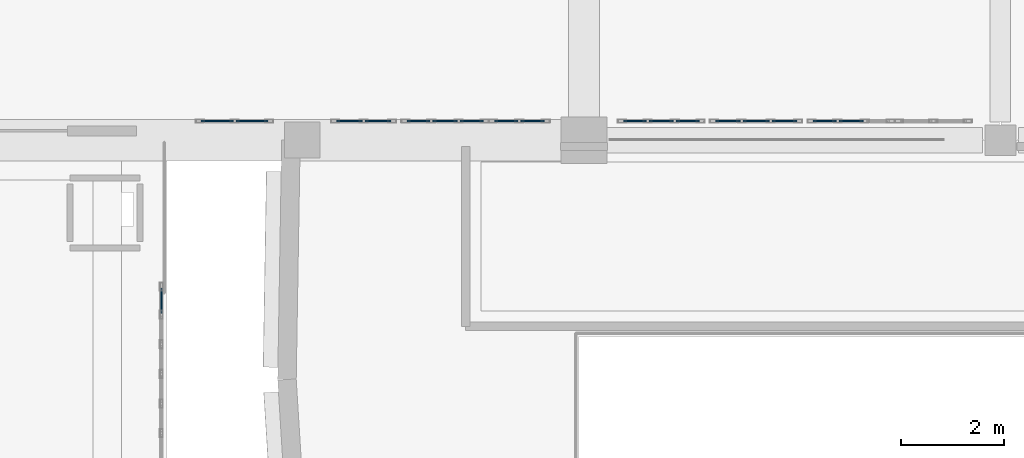
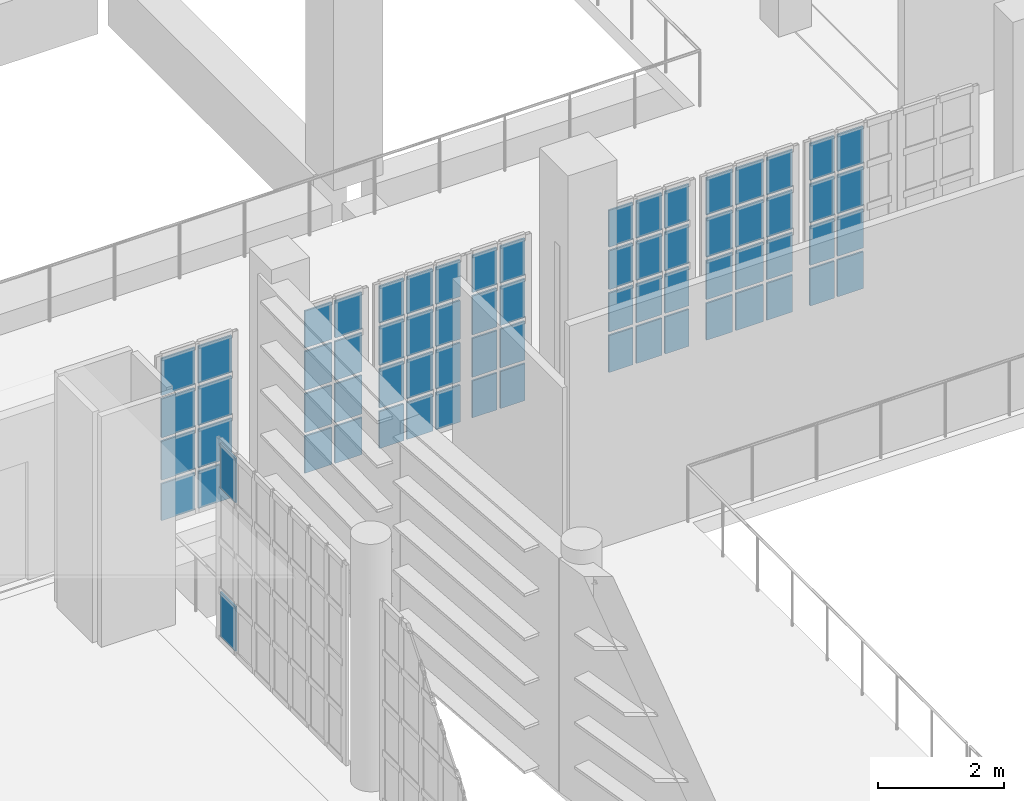
# One storey, part 85 of 104: 70 plates, 8 elements without a shape of their own.
"""IFC4 building model written with IfcOpenShell, lengths in metres."""

from ifc_helpers import new_model, si_unit, direction, frame, origin, origin_2d, place, context, subcontext, project, spatial, rectangle, extrude, material, layer, layer_set, type_object, element, aggregate, save


model = new_model("IFC4")

# Units and contexts
model_context = context("Model", 3, precision=1e-05, world=origin(), true_north=direction((0.0, 1.0)))
body_context = subcontext(model_context, "Body", "Model", "MODEL_VIEW")
ifc_project = project(units=[si_unit("LENGTHUNIT", "METRE"), si_unit("AREAUNIT", "SQUARE_METRE"), si_unit("VOLUMEUNIT", "CUBIC_METRE"), si_unit("PLANEANGLEUNIT", "RADIAN"), si_unit("MASSUNIT", "GRAM", prefix="KILO")], contexts=[model_context])

# Site, building, storey
site_placement = place(None, origin())
site = spatial("IfcSite", under=ifc_project, at=site_placement, CompositionType="ELEMENT")
building_placement = place(site_placement, origin())
building = spatial("IfcBuilding", under=site, at=building_placement, Name="Kaelora Sail Theatre", CompositionType="ELEMENT")
storey_placement = place(building_placement, frame((0.0, 0.0, 5.39990234375)))
storey = spatial("IfcBuildingStorey", under=building, at=storey_placement, Name="L01", CompositionType="ELEMENT", Elevation=5.39990234375)

# Curtain wall, plates
ifc_material_1 = material(Name="Anodised aluminium and solar-control low-E IGU", Category="aluminium")
curtain_wall_type = type_object("IfcCurtainWallType", Name="ARC-CW-CW-FOY2", PredefinedType="NOTDEFINED", material=ifc_material_1)
curtain_wall_1_placement = place(storey_placement, origin())
curtain_wall_1 = element("IfcCurtainWall", 1, at=curtain_wall_1_placement, inside=storey, type_object=curtain_wall_type, Name="West Interstitial Foyer East Glazed Return L01-03", PredefinedType="NOTDEFINED")
ifc_material_2 = material(Name="Solar-control laminated low-E glass", Category="glass")
ifc_layer = layer(ifc_material_2, 0.031982421875)
ifc_layer_set = layer_set([ifc_layer], Name="Solar-control laminated low-E glass")
plate_type = type_object("IfcPlateType", Name="ARC-CW-PNL", PredefinedType="CURTAIN_PANEL", material=ifc_layer_set)
plate_1_placement = place(storey_placement, frame((74.280029296875, 57.896728515625, 0.070068359375), z_axis=(0.0, 0.0, 1.0), x_axis=(0.0, 1.0, 0.0)))
plate_1 = element("IfcPlate", 2, at=plate_1_placement, type_object=plate_type, Name="CW-FOY2 panel 7.1", PredefinedType="CURTAIN_PANEL", context=body_context, shape_type="SweptSolid", body=[
    extrude(rectangle(XDim=0.486328125, YDim=0.031982421875, at=origin_2d()), origin(), (0.0, 0.0, 1.0), 0.86669921875),
])
plate_2_placement = place(storey_placement, frame((74.280029296875, 57.896728515625, 2.950439453125), z_axis=(0.0, 0.0, 1.0), x_axis=(0.0, 1.0, 0.0)))
plate_2 = element("IfcPlate", 3, at=plate_2_placement, type_object=plate_type, Name="CW-FOY2 panel 7.4", PredefinedType="CURTAIN_PANEL", context=body_context, shape_type="SweptSolid", body=[
    extrude(rectangle(XDim=0.486328125, YDim=0.031982421875, at=origin_2d()), origin(), (0.0, 0.0, 1.0), 0.86669921875),
])
aggregate(curtain_wall_1, [plate_1, plate_2])

curtain_wall_2_placement = place(storey_placement, origin())
curtain_wall_2 = element("IfcCurtainWall", 4, at=curtain_wall_2_placement, inside=storey, type_object=curtain_wall_type, Name="Glazed Foyer/Conservatory Curtain Wall FC1-S-L01-01", PredefinedType="NOTDEFINED")
plate_3_placement = place(storey_placement, frame((75.367431640625, 61.389892578125, 0.070068359375), z_axis=(0.0, 0.0, 1.0), x_axis=(1.0, 0.0, 0.0)))
plate_3 = element("IfcPlate", 5, at=plate_3_placement, type_object=plate_type, Name="CW-FOY2 panel 1.1", PredefinedType="CURTAIN_PANEL", context=body_context, shape_type="SweptSolid", body=[
    extrude(rectangle(XDim=0.614990234375, YDim=0.031982421875, at=origin_2d()), origin(), (0.0, 0.0, 1.0), 0.716796875),
])
plate_4_placement = place(storey_placement, frame((75.367431640625, 61.389892578125, 0.85693359375), z_axis=(0.0, 0.0, 1.0), x_axis=(1.0, 0.0, 0.0)))
plate_4 = element("IfcPlate", 6, at=plate_4_placement, type_object=plate_type, Name="CW-FOY2 panel 1.2", PredefinedType="CURTAIN_PANEL", context=body_context, shape_type="SweptSolid", body=[
    extrude(rectangle(XDim=0.614990234375, YDim=0.031982421875, at=origin_2d()), origin(), (0.0, 0.0, 1.0), 0.751708984375),
])
plate_5_placement = place(storey_placement, frame((75.367431640625, 61.389892578125, 1.6787109375), z_axis=(0.0, 0.0, 1.0), x_axis=(1.0, 0.0, 0.0)))
plate_5 = element("IfcPlate", 7, at=plate_5_placement, type_object=plate_type, Name="CW-FOY2 panel 1.3", PredefinedType="CURTAIN_PANEL", context=body_context, shape_type="SweptSolid", body=[
    extrude(rectangle(XDim=0.614990234375, YDim=0.031982421875, at=origin_2d()), origin(), (0.0, 0.0, 1.0), 0.751708984375),
])
plate_6_placement = place(storey_placement, frame((75.367431640625, 61.389892578125, 2.500244140625), z_axis=(0.0, 0.0, 1.0), x_axis=(1.0, 0.0, 0.0)))
plate_6 = element("IfcPlate", 8, at=plate_6_placement, type_object=plate_type, Name="CW-FOY2 panel 1.4", PredefinedType="CURTAIN_PANEL", context=body_context, shape_type="SweptSolid", body=[
    extrude(rectangle(XDim=0.614990234375, YDim=0.031982421875, at=origin_2d()), origin(), (0.0, 0.0, 1.0), 0.716796875),
])
plate_7_placement = place(storey_placement, frame((76.04248046875, 61.389892578125, 0.070068359375), z_axis=(0.0, 0.0, 1.0), x_axis=(1.0, 0.0, 0.0)))
plate_7 = element("IfcPlate", 9, at=plate_7_placement, type_object=plate_type, Name="CW-FOY2 panel 2.1", PredefinedType="CURTAIN_PANEL", context=body_context, shape_type="SweptSolid", body=[
    extrude(rectangle(XDim=0.614990234375, YDim=0.031982421875, at=origin_2d()), origin(), (0.0, 0.0, 1.0), 0.716796875),
])
plate_8_placement = place(storey_placement, frame((76.04248046875, 61.389892578125, 0.85693359375), z_axis=(0.0, 0.0, 1.0), x_axis=(1.0, 0.0, 0.0)))
plate_8 = element("IfcPlate", 10, at=plate_8_placement, type_object=plate_type, Name="CW-FOY2 panel 2.2", PredefinedType="CURTAIN_PANEL", context=body_context, shape_type="SweptSolid", body=[
    extrude(rectangle(XDim=0.614990234375, YDim=0.031982421875, at=origin_2d()), origin(), (0.0, 0.0, 1.0), 0.751708984375),
])
plate_9_placement = place(storey_placement, frame((76.04248046875, 61.389892578125, 1.6787109375), z_axis=(0.0, 0.0, 1.0), x_axis=(1.0, 0.0, 0.0)))
plate_9 = element("IfcPlate", 11, at=plate_9_placement, type_object=plate_type, Name="CW-FOY2 panel 2.3", PredefinedType="CURTAIN_PANEL", context=body_context, shape_type="SweptSolid", body=[
    extrude(rectangle(XDim=0.614990234375, YDim=0.031982421875, at=origin_2d()), origin(), (0.0, 0.0, 1.0), 0.751708984375),
])
plate_10_placement = place(storey_placement, frame((76.04248046875, 61.389892578125, 2.500244140625), z_axis=(0.0, 0.0, 1.0), x_axis=(1.0, 0.0, 0.0)))
plate_10 = element("IfcPlate", 12, at=plate_10_placement, type_object=plate_type, Name="CW-FOY2 panel 2.4", PredefinedType="CURTAIN_PANEL", context=body_context, shape_type="SweptSolid", body=[
    extrude(rectangle(XDim=0.614990234375, YDim=0.031982421875, at=origin_2d()), origin(), (0.0, 0.0, 1.0), 0.716796875),
])
aggregate(curtain_wall_2, [plate_3, plate_4, plate_5, plate_6, plate_7, plate_8, plate_9, plate_10])

curtain_wall_3_placement = place(storey_placement, origin())
curtain_wall_3 = element("IfcCurtainWall", 13, at=curtain_wall_3_placement, inside=storey, type_object=curtain_wall_type, Name="Glazed Foyer/Conservatory Curtain Wall FC1-S-L01-02", PredefinedType="NOTDEFINED")
plate_11_placement = place(storey_placement, frame((77.9375, 61.389892578125, 0.070068359375), z_axis=(0.0, 0.0, 1.0), x_axis=(1.0, 0.0, 0.0)))
plate_11 = element("IfcPlate", 14, at=plate_11_placement, type_object=plate_type, Name="CW-FOY2 panel 1.1", PredefinedType="CURTAIN_PANEL", context=body_context, shape_type="SweptSolid", body=[
    extrude(rectangle(XDim=0.4951171875, YDim=0.031982421875, at=origin_2d()), origin(), (0.0, 0.0, 1.0), 0.716796875),
])
plate_12_placement = place(storey_placement, frame((77.9375, 61.389892578125, 0.85693359375), z_axis=(0.0, 0.0, 1.0), x_axis=(1.0, 0.0, 0.0)))
plate_12 = element("IfcPlate", 15, at=plate_12_placement, type_object=plate_type, Name="CW-FOY2 panel 1.2", PredefinedType="CURTAIN_PANEL", context=body_context, shape_type="SweptSolid", body=[
    extrude(rectangle(XDim=0.4951171875, YDim=0.031982421875, at=origin_2d()), origin(), (0.0, 0.0, 1.0), 0.751708984375),
])
plate_13_placement = place(storey_placement, frame((77.9375, 61.389892578125, 1.6787109375), z_axis=(0.0, 0.0, 1.0), x_axis=(1.0, 0.0, 0.0)))
plate_13 = element("IfcPlate", 16, at=plate_13_placement, type_object=plate_type, Name="CW-FOY2 panel 1.3", PredefinedType="CURTAIN_PANEL", context=body_context, shape_type="SweptSolid", body=[
    extrude(rectangle(XDim=0.4951171875, YDim=0.031982421875, at=origin_2d()), origin(), (0.0, 0.0, 1.0), 0.751708984375),
])
plate_14_placement = place(storey_placement, frame((77.9375, 61.389892578125, 2.500244140625), z_axis=(0.0, 0.0, 1.0), x_axis=(1.0, 0.0, 0.0)))
plate_14 = element("IfcPlate", 17, at=plate_14_placement, type_object=plate_type, Name="CW-FOY2 panel 1.4", PredefinedType="CURTAIN_PANEL", context=body_context, shape_type="SweptSolid", body=[
    extrude(rectangle(XDim=0.4951171875, YDim=0.031982421875, at=origin_2d()), origin(), (0.0, 0.0, 1.0), 0.716796875),
])
plate_15_placement = place(storey_placement, frame((78.492431640625, 61.389892578125, 0.070068359375), z_axis=(0.0, 0.0, 1.0), x_axis=(1.0, 0.0, 0.0)))
plate_15 = element("IfcPlate", 18, at=plate_15_placement, type_object=plate_type, Name="CW-FOY2 panel 2.1", PredefinedType="CURTAIN_PANEL", context=body_context, shape_type="SweptSolid", body=[
    extrude(rectangle(XDim=0.4951171875, YDim=0.031982421875, at=origin_2d()), origin(), (0.0, 0.0, 1.0), 0.716796875),
])
plate_16_placement = place(storey_placement, frame((78.492431640625, 61.389892578125, 0.85693359375), z_axis=(0.0, 0.0, 1.0), x_axis=(1.0, 0.0, 0.0)))
plate_16 = element("IfcPlate", 19, at=plate_16_placement, type_object=plate_type, Name="CW-FOY2 panel 2.2", PredefinedType="CURTAIN_PANEL", context=body_context, shape_type="SweptSolid", body=[
    extrude(rectangle(XDim=0.4951171875, YDim=0.031982421875, at=origin_2d()), origin(), (0.0, 0.0, 1.0), 0.751708984375),
])
plate_17_placement = place(storey_placement, frame((78.492431640625, 61.389892578125, 1.6787109375), z_axis=(0.0, 0.0, 1.0), x_axis=(1.0, 0.0, 0.0)))
plate_17 = element("IfcPlate", 20, at=plate_17_placement, type_object=plate_type, Name="CW-FOY2 panel 2.3", PredefinedType="CURTAIN_PANEL", context=body_context, shape_type="SweptSolid", body=[
    extrude(rectangle(XDim=0.4951171875, YDim=0.031982421875, at=origin_2d()), origin(), (0.0, 0.0, 1.0), 0.751708984375),
])
plate_18_placement = place(storey_placement, frame((78.492431640625, 61.389892578125, 2.500244140625), z_axis=(0.0, 0.0, 1.0), x_axis=(1.0, 0.0, 0.0)))
plate_18 = element("IfcPlate", 21, at=plate_18_placement, type_object=plate_type, Name="CW-FOY2 panel 2.4", PredefinedType="CURTAIN_PANEL", context=body_context, shape_type="SweptSolid", body=[
    extrude(rectangle(XDim=0.4951171875, YDim=0.031982421875, at=origin_2d()), origin(), (0.0, 0.0, 1.0), 0.716796875),
])
aggregate(curtain_wall_3, [plate_11, plate_12, plate_13, plate_14, plate_15, plate_16, plate_17, plate_18])

curtain_wall_4_placement = place(storey_placement, origin())
curtain_wall_4 = element("IfcCurtainWall", 22, at=curtain_wall_4_placement, inside=storey, type_object=curtain_wall_type, Name="Glazed Foyer/Conservatory Curtain Wall FC1-S-L01-03", PredefinedType="NOTDEFINED")
plate_19_placement = place(storey_placement, frame((79.28173828125, 61.389892578125, 0.070068359375), z_axis=(0.0, 0.0, 1.0), x_axis=(1.0, 0.0, 0.0)))
plate_19 = element("IfcPlate", 23, at=plate_19_placement, type_object=plate_type, Name="CW-FOY2 panel 1.1", PredefinedType="CURTAIN_PANEL", context=body_context, shape_type="SweptSolid", body=[
    extrude(rectangle(XDim=0.443359375, YDim=0.031982421875, at=origin_2d()), origin(), (0.0, 0.0, 1.0), 0.716796875),
])
plate_20_placement = place(storey_placement, frame((79.28173828125, 61.389892578125, 0.85693359375), z_axis=(0.0, 0.0, 1.0), x_axis=(1.0, 0.0, 0.0)))
plate_20 = element("IfcPlate", 24, at=plate_20_placement, type_object=plate_type, Name="CW-FOY2 panel 1.2", PredefinedType="CURTAIN_PANEL", context=body_context, shape_type="SweptSolid", body=[
    extrude(rectangle(XDim=0.443359375, YDim=0.031982421875, at=origin_2d()), origin(), (0.0, 0.0, 1.0), 0.751708984375),
])
plate_21_placement = place(storey_placement, frame((79.28173828125, 61.389892578125, 1.6787109375), z_axis=(0.0, 0.0, 1.0), x_axis=(1.0, 0.0, 0.0)))
plate_21 = element("IfcPlate", 25, at=plate_21_placement, type_object=plate_type, Name="CW-FOY2 panel 1.3", PredefinedType="CURTAIN_PANEL", context=body_context, shape_type="SweptSolid", body=[
    extrude(rectangle(XDim=0.443359375, YDim=0.031982421875, at=origin_2d()), origin(), (0.0, 0.0, 1.0), 0.751708984375),
])
plate_22_placement = place(storey_placement, frame((79.28173828125, 61.389892578125, 2.500244140625), z_axis=(0.0, 0.0, 1.0), x_axis=(1.0, 0.0, 0.0)))
plate_22 = element("IfcPlate", 26, at=plate_22_placement, type_object=plate_type, Name="CW-FOY2 panel 1.4", PredefinedType="CURTAIN_PANEL", context=body_context, shape_type="SweptSolid", body=[
    extrude(rectangle(XDim=0.443359375, YDim=0.031982421875, at=origin_2d()), origin(), (0.0, 0.0, 1.0), 0.716796875),
])
plate_23_placement = place(storey_placement, frame((79.800048828125, 61.389892578125, 0.070068359375), z_axis=(0.0, 0.0, 1.0), x_axis=(1.0, 0.0, 0.0)))
plate_23 = element("IfcPlate", 27, at=plate_23_placement, type_object=plate_type, Name="CW-FOY2 panel 2.1", PredefinedType="CURTAIN_PANEL", context=body_context, shape_type="SweptSolid", body=[
    extrude(rectangle(XDim=0.473388671875, YDim=0.031982421875, at=origin_2d()), origin(), (0.0, 0.0, 1.0), 0.716796875),
])
plate_24_placement = place(storey_placement, frame((79.800048828125, 61.389892578125, 0.85693359375), z_axis=(0.0, 0.0, 1.0), x_axis=(1.0, 0.0, 0.0)))
plate_24 = element("IfcPlate", 28, at=plate_24_placement, type_object=plate_type, Name="CW-FOY2 panel 2.2", PredefinedType="CURTAIN_PANEL", context=body_context, shape_type="SweptSolid", body=[
    extrude(rectangle(XDim=0.473388671875, YDim=0.031982421875, at=origin_2d()), origin(), (0.0, 0.0, 1.0), 0.751708984375),
])
plate_25_placement = place(storey_placement, frame((79.800048828125, 61.389892578125, 1.6787109375), z_axis=(0.0, 0.0, 1.0), x_axis=(1.0, 0.0, 0.0)))
plate_25 = element("IfcPlate", 29, at=plate_25_placement, type_object=plate_type, Name="CW-FOY2 panel 2.3", PredefinedType="CURTAIN_PANEL", context=body_context, shape_type="SweptSolid", body=[
    extrude(rectangle(XDim=0.473388671875, YDim=0.031982421875, at=origin_2d()), origin(), (0.0, 0.0, 1.0), 0.751708984375),
])
plate_26_placement = place(storey_placement, frame((79.800048828125, 61.389892578125, 2.500244140625), z_axis=(0.0, 0.0, 1.0), x_axis=(1.0, 0.0, 0.0)))
plate_26 = element("IfcPlate", 30, at=plate_26_placement, type_object=plate_type, Name="CW-FOY2 panel 2.4", PredefinedType="CURTAIN_PANEL", context=body_context, shape_type="SweptSolid", body=[
    extrude(rectangle(XDim=0.473388671875, YDim=0.031982421875, at=origin_2d()), origin(), (0.0, 0.0, 1.0), 0.716796875),
])
plate_27_placement = place(storey_placement, frame((80.318359375, 61.389892578125, 0.070068359375), z_axis=(0.0, 0.0, 1.0), x_axis=(1.0, 0.0, 0.0)))
plate_27 = element("IfcPlate", 31, at=plate_27_placement, type_object=plate_type, Name="CW-FOY2 panel 3.1", PredefinedType="CURTAIN_PANEL", context=body_context, shape_type="SweptSolid", body=[
    extrude(rectangle(XDim=0.443359375, YDim=0.031982421875, at=origin_2d()), origin(), (0.0, 0.0, 1.0), 0.716796875),
])
plate_28_placement = place(storey_placement, frame((80.318359375, 61.389892578125, 0.85693359375), z_axis=(0.0, 0.0, 1.0), x_axis=(1.0, 0.0, 0.0)))
plate_28 = element("IfcPlate", 32, at=plate_28_placement, type_object=plate_type, Name="CW-FOY2 panel 3.2", PredefinedType="CURTAIN_PANEL", context=body_context, shape_type="SweptSolid", body=[
    extrude(rectangle(XDim=0.443359375, YDim=0.031982421875, at=origin_2d()), origin(), (0.0, 0.0, 1.0), 0.751708984375),
])
plate_29_placement = place(storey_placement, frame((80.318359375, 61.389892578125, 1.6787109375), z_axis=(0.0, 0.0, 1.0), x_axis=(1.0, 0.0, 0.0)))
plate_29 = element("IfcPlate", 33, at=plate_29_placement, type_object=plate_type, Name="CW-FOY2 panel 3.3", PredefinedType="CURTAIN_PANEL", context=body_context, shape_type="SweptSolid", body=[
    extrude(rectangle(XDim=0.443359375, YDim=0.031982421875, at=origin_2d()), origin(), (0.0, 0.0, 1.0), 0.751708984375),
])
plate_30_placement = place(storey_placement, frame((80.318359375, 61.389892578125, 2.500244140625), z_axis=(0.0, 0.0, 1.0), x_axis=(1.0, 0.0, 0.0)))
plate_30 = element("IfcPlate", 34, at=plate_30_placement, type_object=plate_type, Name="CW-FOY2 panel 3.4", PredefinedType="CURTAIN_PANEL", context=body_context, shape_type="SweptSolid", body=[
    extrude(rectangle(XDim=0.443359375, YDim=0.031982421875, at=origin_2d()), origin(), (0.0, 0.0, 1.0), 0.716796875),
])
aggregate(curtain_wall_4, [plate_19, plate_20, plate_21, plate_22, plate_23, plate_24, plate_25, plate_26, plate_27, plate_28, plate_29, plate_30])

curtain_wall_5_placement = place(storey_placement, origin())
curtain_wall_5 = element("IfcCurtainWall", 35, at=curtain_wall_5_placement, inside=storey, type_object=curtain_wall_type, Name="Glazed Foyer/Conservatory Curtain Wall FC1-S-L01-04", PredefinedType="NOTDEFINED")
plate_31_placement = place(storey_placement, frame((80.987548828125, 61.389892578125, 0.070068359375), z_axis=(0.0, 0.0, 1.0), x_axis=(1.0, 0.0, 0.0)))
plate_31 = element("IfcPlate", 36, at=plate_31_placement, type_object=plate_type, Name="CW-FOY2 panel 1.1", PredefinedType="CURTAIN_PANEL", context=body_context, shape_type="SweptSolid", body=[
    extrude(rectangle(XDim=0.455078125, YDim=0.031982421875, at=origin_2d()), origin(), (0.0, 0.0, 1.0), 0.716796875),
])
plate_32_placement = place(storey_placement, frame((80.987548828125, 61.389892578125, 0.85693359375), z_axis=(0.0, 0.0, 1.0), x_axis=(1.0, 0.0, 0.0)))
plate_32 = element("IfcPlate", 37, at=plate_32_placement, type_object=plate_type, Name="CW-FOY2 panel 1.2", PredefinedType="CURTAIN_PANEL", context=body_context, shape_type="SweptSolid", body=[
    extrude(rectangle(XDim=0.455078125, YDim=0.031982421875, at=origin_2d()), origin(), (0.0, 0.0, 1.0), 0.751708984375),
])
plate_33_placement = place(storey_placement, frame((80.987548828125, 61.389892578125, 1.6787109375), z_axis=(0.0, 0.0, 1.0), x_axis=(1.0, 0.0, 0.0)))
plate_33 = element("IfcPlate", 38, at=plate_33_placement, type_object=plate_type, Name="CW-FOY2 panel 1.3", PredefinedType="CURTAIN_PANEL", context=body_context, shape_type="SweptSolid", body=[
    extrude(rectangle(XDim=0.455078125, YDim=0.031982421875, at=origin_2d()), origin(), (0.0, 0.0, 1.0), 0.751708984375),
])
plate_34_placement = place(storey_placement, frame((80.987548828125, 61.389892578125, 2.500244140625), z_axis=(0.0, 0.0, 1.0), x_axis=(1.0, 0.0, 0.0)))
plate_34 = element("IfcPlate", 39, at=plate_34_placement, type_object=plate_type, Name="CW-FOY2 panel 1.4", PredefinedType="CURTAIN_PANEL", context=body_context, shape_type="SweptSolid", body=[
    extrude(rectangle(XDim=0.455078125, YDim=0.031982421875, at=origin_2d()), origin(), (0.0, 0.0, 1.0), 0.716796875),
])
plate_35_placement = place(storey_placement, frame((81.50244140625, 61.389892578125, 0.070068359375), z_axis=(0.0, 0.0, 1.0), x_axis=(1.0, 0.0, 0.0)))
plate_35 = element("IfcPlate", 40, at=plate_35_placement, type_object=plate_type, Name="CW-FOY2 panel 2.1", PredefinedType="CURTAIN_PANEL", context=body_context, shape_type="SweptSolid", body=[
    extrude(rectangle(XDim=0.455078125, YDim=0.031982421875, at=origin_2d()), origin(), (0.0, 0.0, 1.0), 0.716796875),
])
plate_36_placement = place(storey_placement, frame((81.50244140625, 61.389892578125, 0.85693359375), z_axis=(0.0, 0.0, 1.0), x_axis=(1.0, 0.0, 0.0)))
plate_36 = element("IfcPlate", 41, at=plate_36_placement, type_object=plate_type, Name="CW-FOY2 panel 2.2", PredefinedType="CURTAIN_PANEL", context=body_context, shape_type="SweptSolid", body=[
    extrude(rectangle(XDim=0.455078125, YDim=0.031982421875, at=origin_2d()), origin(), (0.0, 0.0, 1.0), 0.751708984375),
])
plate_37_placement = place(storey_placement, frame((81.50244140625, 61.389892578125, 1.6787109375), z_axis=(0.0, 0.0, 1.0), x_axis=(1.0, 0.0, 0.0)))
plate_37 = element("IfcPlate", 42, at=plate_37_placement, type_object=plate_type, Name="CW-FOY2 panel 2.3", PredefinedType="CURTAIN_PANEL", context=body_context, shape_type="SweptSolid", body=[
    extrude(rectangle(XDim=0.455078125, YDim=0.031982421875, at=origin_2d()), origin(), (0.0, 0.0, 1.0), 0.751708984375),
])
plate_38_placement = place(storey_placement, frame((81.50244140625, 61.389892578125, 2.500244140625), z_axis=(0.0, 0.0, 1.0), x_axis=(1.0, 0.0, 0.0)))
plate_38 = element("IfcPlate", 43, at=plate_38_placement, type_object=plate_type, Name="CW-FOY2 panel 2.4", PredefinedType="CURTAIN_PANEL", context=body_context, shape_type="SweptSolid", body=[
    extrude(rectangle(XDim=0.455078125, YDim=0.031982421875, at=origin_2d()), origin(), (0.0, 0.0, 1.0), 0.716796875),
])
aggregate(curtain_wall_5, [plate_31, plate_32, plate_33, plate_34, plate_35, plate_36, plate_37, plate_38])

curtain_wall_6_placement = place(storey_placement, origin())
curtain_wall_6 = element("IfcCurtainWall", 44, at=curtain_wall_6_placement, inside=storey, type_object=curtain_wall_type, Name="Glazed Foyer/Conservatory Curtain Wall FC1-S-L01-05", PredefinedType="NOTDEFINED")
plate_39_placement = place(storey_placement, frame((83.489990234375, 61.389892578125, 0.070068359375), z_axis=(0.0, 0.0, 1.0), x_axis=(1.0, 0.0, 0.0)))
plate_39 = element("IfcPlate", 45, at=plate_39_placement, type_object=plate_type, Name="CW-FOY2 panel 1.1", PredefinedType="CURTAIN_PANEL", context=body_context, shape_type="SweptSolid", body=[
    extrude(rectangle(XDim=0.43994140625, YDim=0.031982421875, at=origin_2d()), origin(), (0.0, 0.0, 1.0), 0.716796875),
])
plate_40_placement = place(storey_placement, frame((83.489990234375, 61.389892578125, 0.85693359375), z_axis=(0.0, 0.0, 1.0), x_axis=(1.0, 0.0, 0.0)))
plate_40 = element("IfcPlate", 46, at=plate_40_placement, type_object=plate_type, Name="CW-FOY2 panel 1.2", PredefinedType="CURTAIN_PANEL", context=body_context, shape_type="SweptSolid", body=[
    extrude(rectangle(XDim=0.43994140625, YDim=0.031982421875, at=origin_2d()), origin(), (0.0, 0.0, 1.0), 0.751708984375),
])
plate_41_placement = place(storey_placement, frame((83.489990234375, 61.389892578125, 1.6787109375), z_axis=(0.0, 0.0, 1.0), x_axis=(1.0, 0.0, 0.0)))
plate_41 = element("IfcPlate", 47, at=plate_41_placement, type_object=plate_type, Name="CW-FOY2 panel 1.3", PredefinedType="CURTAIN_PANEL", context=body_context, shape_type="SweptSolid", body=[
    extrude(rectangle(XDim=0.43994140625, YDim=0.031982421875, at=origin_2d()), origin(), (0.0, 0.0, 1.0), 0.751708984375),
])
plate_42_placement = place(storey_placement, frame((83.489990234375, 61.389892578125, 2.500244140625), z_axis=(0.0, 0.0, 1.0), x_axis=(1.0, 0.0, 0.0)))
plate_42 = element("IfcPlate", 48, at=plate_42_placement, type_object=plate_type, Name="CW-FOY2 panel 1.4", PredefinedType="CURTAIN_PANEL", context=body_context, shape_type="SweptSolid", body=[
    extrude(rectangle(XDim=0.43994140625, YDim=0.031982421875, at=origin_2d()), origin(), (0.0, 0.0, 1.0), 0.716796875),
])
plate_43_placement = place(storey_placement, frame((84.0048828125, 61.389892578125, 0.070068359375), z_axis=(0.0, 0.0, 1.0), x_axis=(1.0, 0.0, 0.0)))
plate_43 = element("IfcPlate", 49, at=plate_43_placement, type_object=plate_type, Name="CW-FOY2 panel 2.1", PredefinedType="CURTAIN_PANEL", context=body_context, shape_type="SweptSolid", body=[
    extrude(rectangle(XDim=0.469970703125, YDim=0.031982421875, at=origin_2d()), origin(), (0.0, 0.0, 1.0), 0.716796875),
])
plate_44_placement = place(storey_placement, frame((84.0048828125, 61.389892578125, 0.85693359375), z_axis=(0.0, 0.0, 1.0), x_axis=(1.0, 0.0, 0.0)))
plate_44 = element("IfcPlate", 50, at=plate_44_placement, type_object=plate_type, Name="CW-FOY2 panel 2.2", PredefinedType="CURTAIN_PANEL", context=body_context, shape_type="SweptSolid", body=[
    extrude(rectangle(XDim=0.469970703125, YDim=0.031982421875, at=origin_2d()), origin(), (0.0, 0.0, 1.0), 0.751708984375),
])
plate_45_placement = place(storey_placement, frame((84.0048828125, 61.389892578125, 1.6787109375), z_axis=(0.0, 0.0, 1.0), x_axis=(1.0, 0.0, 0.0)))
plate_45 = element("IfcPlate", 51, at=plate_45_placement, type_object=plate_type, Name="CW-FOY2 panel 2.3", PredefinedType="CURTAIN_PANEL", context=body_context, shape_type="SweptSolid", body=[
    extrude(rectangle(XDim=0.469970703125, YDim=0.031982421875, at=origin_2d()), origin(), (0.0, 0.0, 1.0), 0.751708984375),
])
plate_46_placement = place(storey_placement, frame((84.0048828125, 61.389892578125, 2.500244140625), z_axis=(0.0, 0.0, 1.0), x_axis=(1.0, 0.0, 0.0)))
plate_46 = element("IfcPlate", 52, at=plate_46_placement, type_object=plate_type, Name="CW-FOY2 panel 2.4", PredefinedType="CURTAIN_PANEL", context=body_context, shape_type="SweptSolid", body=[
    extrude(rectangle(XDim=0.469970703125, YDim=0.031982421875, at=origin_2d()), origin(), (0.0, 0.0, 1.0), 0.716796875),
])
plate_47_placement = place(storey_placement, frame((84.52001953125, 61.389892578125, 0.070068359375), z_axis=(0.0, 0.0, 1.0), x_axis=(1.0, 0.0, 0.0)))
plate_47 = element("IfcPlate", 53, at=plate_47_placement, type_object=plate_type, Name="CW-FOY2 panel 3.1", PredefinedType="CURTAIN_PANEL", context=body_context, shape_type="SweptSolid", body=[
    extrude(rectangle(XDim=0.43994140625, YDim=0.031982421875, at=origin_2d()), origin(), (0.0, 0.0, 1.0), 0.716796875),
])
plate_48_placement = place(storey_placement, frame((84.52001953125, 61.389892578125, 0.85693359375), z_axis=(0.0, 0.0, 1.0), x_axis=(1.0, 0.0, 0.0)))
plate_48 = element("IfcPlate", 54, at=plate_48_placement, type_object=plate_type, Name="CW-FOY2 panel 3.2", PredefinedType="CURTAIN_PANEL", context=body_context, shape_type="SweptSolid", body=[
    extrude(rectangle(XDim=0.43994140625, YDim=0.031982421875, at=origin_2d()), origin(), (0.0, 0.0, 1.0), 0.751708984375),
])
plate_49_placement = place(storey_placement, frame((84.52001953125, 61.389892578125, 1.6787109375), z_axis=(0.0, 0.0, 1.0), x_axis=(1.0, 0.0, 0.0)))
plate_49 = element("IfcPlate", 55, at=plate_49_placement, type_object=plate_type, Name="CW-FOY2 panel 3.3", PredefinedType="CURTAIN_PANEL", context=body_context, shape_type="SweptSolid", body=[
    extrude(rectangle(XDim=0.43994140625, YDim=0.031982421875, at=origin_2d()), origin(), (0.0, 0.0, 1.0), 0.751708984375),
])
plate_50_placement = place(storey_placement, frame((84.52001953125, 61.389892578125, 2.500244140625), z_axis=(0.0, 0.0, 1.0), x_axis=(1.0, 0.0, 0.0)))
plate_50 = element("IfcPlate", 56, at=plate_50_placement, type_object=plate_type, Name="CW-FOY2 panel 3.4", PredefinedType="CURTAIN_PANEL", context=body_context, shape_type="SweptSolid", body=[
    extrude(rectangle(XDim=0.43994140625, YDim=0.031982421875, at=origin_2d()), origin(), (0.0, 0.0, 1.0), 0.716796875),
])
aggregate(curtain_wall_6, [plate_39, plate_40, plate_41, plate_42, plate_43, plate_44, plate_45, plate_46, plate_47, plate_48, plate_49, plate_50])

curtain_wall_7_placement = place(storey_placement, origin())
curtain_wall_7 = element("IfcCurtainWall", 57, at=curtain_wall_7_placement, inside=storey, type_object=curtain_wall_type, Name="Glazed Foyer/Conservatory Curtain Wall FC1-S-L01-06", PredefinedType="NOTDEFINED")
plate_51_placement = place(storey_placement, frame((85.29833984375, 61.389892578125, 0.070068359375), z_axis=(0.0, 0.0, 1.0), x_axis=(1.0, 0.0, 0.0)))
plate_51 = element("IfcPlate", 58, at=plate_51_placement, type_object=plate_type, Name="CW-FOY2 panel 1.1", PredefinedType="CURTAIN_PANEL", context=body_context, shape_type="SweptSolid", body=[
    extrude(rectangle(XDim=0.4765625, YDim=0.031982421875, at=origin_2d()), origin(), (0.0, 0.0, 1.0), 0.716796875),
])
plate_52_placement = place(storey_placement, frame((85.29833984375, 61.389892578125, 0.85693359375), z_axis=(0.0, 0.0, 1.0), x_axis=(1.0, 0.0, 0.0)))
plate_52 = element("IfcPlate", 59, at=plate_52_placement, type_object=plate_type, Name="CW-FOY2 panel 1.2", PredefinedType="CURTAIN_PANEL", context=body_context, shape_type="SweptSolid", body=[
    extrude(rectangle(XDim=0.4765625, YDim=0.031982421875, at=origin_2d()), origin(), (0.0, 0.0, 1.0), 0.751708984375),
])
plate_53_placement = place(storey_placement, frame((85.29833984375, 61.389892578125, 1.6787109375), z_axis=(0.0, 0.0, 1.0), x_axis=(1.0, 0.0, 0.0)))
plate_53 = element("IfcPlate", 60, at=plate_53_placement, type_object=plate_type, Name="CW-FOY2 panel 1.3", PredefinedType="CURTAIN_PANEL", context=body_context, shape_type="SweptSolid", body=[
    extrude(rectangle(XDim=0.4765625, YDim=0.031982421875, at=origin_2d()), origin(), (0.0, 0.0, 1.0), 0.751708984375),
])
plate_54_placement = place(storey_placement, frame((85.29833984375, 61.389892578125, 2.500244140625), z_axis=(0.0, 0.0, 1.0), x_axis=(1.0, 0.0, 0.0)))
plate_54 = element("IfcPlate", 61, at=plate_54_placement, type_object=plate_type, Name="CW-FOY2 panel 1.4", PredefinedType="CURTAIN_PANEL", context=body_context, shape_type="SweptSolid", body=[
    extrude(rectangle(XDim=0.4765625, YDim=0.031982421875, at=origin_2d()), origin(), (0.0, 0.0, 1.0), 0.716796875),
])
plate_55_placement = place(storey_placement, frame((85.85009765625, 61.389892578125, 0.070068359375), z_axis=(0.0, 0.0, 1.0), x_axis=(1.0, 0.0, 0.0)))
plate_55 = element("IfcPlate", 62, at=plate_55_placement, type_object=plate_type, Name="CW-FOY2 panel 2.1", PredefinedType="CURTAIN_PANEL", context=body_context, shape_type="SweptSolid", body=[
    extrude(rectangle(XDim=0.506591796875, YDim=0.031982421875, at=origin_2d()), origin(), (0.0, 0.0, 1.0), 0.716796875),
])
plate_56_placement = place(storey_placement, frame((85.85009765625, 61.389892578125, 0.85693359375), z_axis=(0.0, 0.0, 1.0), x_axis=(1.0, 0.0, 0.0)))
plate_56 = element("IfcPlate", 63, at=plate_56_placement, type_object=plate_type, Name="CW-FOY2 panel 2.2", PredefinedType="CURTAIN_PANEL", context=body_context, shape_type="SweptSolid", body=[
    extrude(rectangle(XDim=0.506591796875, YDim=0.031982421875, at=origin_2d()), origin(), (0.0, 0.0, 1.0), 0.751708984375),
])
plate_57_placement = place(storey_placement, frame((85.85009765625, 61.389892578125, 1.6787109375), z_axis=(0.0, 0.0, 1.0), x_axis=(1.0, 0.0, 0.0)))
plate_57 = element("IfcPlate", 64, at=plate_57_placement, type_object=plate_type, Name="CW-FOY2 panel 2.3", PredefinedType="CURTAIN_PANEL", context=body_context, shape_type="SweptSolid", body=[
    extrude(rectangle(XDim=0.506591796875, YDim=0.031982421875, at=origin_2d()), origin(), (0.0, 0.0, 1.0), 0.751708984375),
])
plate_58_placement = place(storey_placement, frame((85.85009765625, 61.389892578125, 2.500244140625), z_axis=(0.0, 0.0, 1.0), x_axis=(1.0, 0.0, 0.0)))
plate_58 = element("IfcPlate", 65, at=plate_58_placement, type_object=plate_type, Name="CW-FOY2 panel 2.4", PredefinedType="CURTAIN_PANEL", context=body_context, shape_type="SweptSolid", body=[
    extrude(rectangle(XDim=0.506591796875, YDim=0.031982421875, at=origin_2d()), origin(), (0.0, 0.0, 1.0), 0.716796875),
])
plate_59_placement = place(storey_placement, frame((86.401611328125, 61.389892578125, 0.070068359375), z_axis=(0.0, 0.0, 1.0), x_axis=(1.0, 0.0, 0.0)))
plate_59 = element("IfcPlate", 66, at=plate_59_placement, type_object=plate_type, Name="CW-FOY2 panel 3.1", PredefinedType="CURTAIN_PANEL", context=body_context, shape_type="SweptSolid", body=[
    extrude(rectangle(XDim=0.4765625, YDim=0.031982421875, at=origin_2d()), origin(), (0.0, 0.0, 1.0), 0.716796875),
])
plate_60_placement = place(storey_placement, frame((86.401611328125, 61.389892578125, 0.85693359375), z_axis=(0.0, 0.0, 1.0), x_axis=(1.0, 0.0, 0.0)))
plate_60 = element("IfcPlate", 67, at=plate_60_placement, type_object=plate_type, Name="CW-FOY2 panel 3.2", PredefinedType="CURTAIN_PANEL", context=body_context, shape_type="SweptSolid", body=[
    extrude(rectangle(XDim=0.4765625, YDim=0.031982421875, at=origin_2d()), origin(), (0.0, 0.0, 1.0), 0.751708984375),
])
plate_61_placement = place(storey_placement, frame((86.401611328125, 61.389892578125, 1.6787109375), z_axis=(0.0, 0.0, 1.0), x_axis=(1.0, 0.0, 0.0)))
plate_61 = element("IfcPlate", 68, at=plate_61_placement, type_object=plate_type, Name="CW-FOY2 panel 3.3", PredefinedType="CURTAIN_PANEL", context=body_context, shape_type="SweptSolid", body=[
    extrude(rectangle(XDim=0.4765625, YDim=0.031982421875, at=origin_2d()), origin(), (0.0, 0.0, 1.0), 0.751708984375),
])
plate_62_placement = place(storey_placement, frame((86.401611328125, 61.389892578125, 2.500244140625), z_axis=(0.0, 0.0, 1.0), x_axis=(1.0, 0.0, 0.0)))
plate_62 = element("IfcPlate", 69, at=plate_62_placement, type_object=plate_type, Name="CW-FOY2 panel 3.4", PredefinedType="CURTAIN_PANEL", context=body_context, shape_type="SweptSolid", body=[
    extrude(rectangle(XDim=0.4765625, YDim=0.031982421875, at=origin_2d()), origin(), (0.0, 0.0, 1.0), 0.716796875),
])
aggregate(curtain_wall_7, [plate_51, plate_52, plate_53, plate_54, plate_55, plate_56, plate_57, plate_58, plate_59, plate_60, plate_61, plate_62])

curtain_wall_8_placement = place(storey_placement, origin())
curtain_wall_8 = element("IfcCurtainWall", 70, at=curtain_wall_8_placement, inside=storey, type_object=curtain_wall_type, Name="Glazed Foyer/Conservatory Curtain Wall FC1-S-L01-07", PredefinedType="NOTDEFINED")
plate_63_placement = place(storey_placement, frame((87.181640625, 61.389892578125, 0.070068359375), z_axis=(0.0, 0.0, 1.0), x_axis=(1.0, 0.0, 0.0)))
plate_63 = element("IfcPlate", 71, at=plate_63_placement, type_object=plate_type, Name="CW-FOY2 panel 1.1", PredefinedType="CURTAIN_PANEL", context=body_context, shape_type="SweptSolid", body=[
    extrude(rectangle(XDim=0.443359375, YDim=0.031982421875, at=origin_2d()), origin(), (0.0, 0.0, 1.0), 0.716796875),
])
plate_64_placement = place(storey_placement, frame((87.181640625, 61.389892578125, 0.85693359375), z_axis=(0.0, 0.0, 1.0), x_axis=(1.0, 0.0, 0.0)))
plate_64 = element("IfcPlate", 72, at=plate_64_placement, type_object=plate_type, Name="CW-FOY2 panel 1.2", PredefinedType="CURTAIN_PANEL", context=body_context, shape_type="SweptSolid", body=[
    extrude(rectangle(XDim=0.443359375, YDim=0.031982421875, at=origin_2d()), origin(), (0.0, 0.0, 1.0), 0.751708984375),
])
plate_65_placement = place(storey_placement, frame((87.181640625, 61.389892578125, 1.6787109375), z_axis=(0.0, 0.0, 1.0), x_axis=(1.0, 0.0, 0.0)))
plate_65 = element("IfcPlate", 73, at=plate_65_placement, type_object=plate_type, Name="CW-FOY2 panel 1.3", PredefinedType="CURTAIN_PANEL", context=body_context, shape_type="SweptSolid", body=[
    extrude(rectangle(XDim=0.443359375, YDim=0.031982421875, at=origin_2d()), origin(), (0.0, 0.0, 1.0), 0.751708984375),
])
plate_66_placement = place(storey_placement, frame((87.181640625, 61.389892578125, 2.500244140625), z_axis=(0.0, 0.0, 1.0), x_axis=(1.0, 0.0, 0.0)))
plate_66 = element("IfcPlate", 74, at=plate_66_placement, type_object=plate_type, Name="CW-FOY2 panel 1.4", PredefinedType="CURTAIN_PANEL", context=body_context, shape_type="SweptSolid", body=[
    extrude(rectangle(XDim=0.443359375, YDim=0.031982421875, at=origin_2d()), origin(), (0.0, 0.0, 1.0), 0.716796875),
])
plate_67_placement = place(storey_placement, frame((87.699951171875, 61.389892578125, 0.070068359375), z_axis=(0.0, 0.0, 1.0), x_axis=(1.0, 0.0, 0.0)))
plate_67 = element("IfcPlate", 75, at=plate_67_placement, type_object=plate_type, Name="CW-FOY2 panel 2.1", PredefinedType="CURTAIN_PANEL", context=body_context, shape_type="SweptSolid", body=[
    extrude(rectangle(XDim=0.473388671875, YDim=0.031982421875, at=origin_2d()), origin(), (0.0, 0.0, 1.0), 0.716796875),
])
plate_68_placement = place(storey_placement, frame((87.699951171875, 61.389892578125, 0.85693359375), z_axis=(0.0, 0.0, 1.0), x_axis=(1.0, 0.0, 0.0)))
plate_68 = element("IfcPlate", 76, at=plate_68_placement, type_object=plate_type, Name="CW-FOY2 panel 2.2", PredefinedType="CURTAIN_PANEL", context=body_context, shape_type="SweptSolid", body=[
    extrude(rectangle(XDim=0.473388671875, YDim=0.031982421875, at=origin_2d()), origin(), (0.0, 0.0, 1.0), 0.751708984375),
])
plate_69_placement = place(storey_placement, frame((87.699951171875, 61.389892578125, 1.6787109375), z_axis=(0.0, 0.0, 1.0), x_axis=(1.0, 0.0, 0.0)))
plate_69 = element("IfcPlate", 77, at=plate_69_placement, type_object=plate_type, Name="CW-FOY2 panel 2.3", PredefinedType="CURTAIN_PANEL", context=body_context, shape_type="SweptSolid", body=[
    extrude(rectangle(XDim=0.473388671875, YDim=0.031982421875, at=origin_2d()), origin(), (0.0, 0.0, 1.0), 0.751708984375),
])
plate_70_placement = place(storey_placement, frame((87.699951171875, 61.389892578125, 2.500244140625), z_axis=(0.0, 0.0, 1.0), x_axis=(1.0, 0.0, 0.0)))
plate_70 = element("IfcPlate", 78, at=plate_70_placement, type_object=plate_type, Name="CW-FOY2 panel 2.4", PredefinedType="CURTAIN_PANEL", context=body_context, shape_type="SweptSolid", body=[
    extrude(rectangle(XDim=0.473388671875, YDim=0.031982421875, at=origin_2d()), origin(), (0.0, 0.0, 1.0), 0.716796875),
])
aggregate(curtain_wall_8, [plate_63, plate_64, plate_65, plate_66, plate_67, plate_68, plate_69, plate_70])

save(model, "model.ifc")
